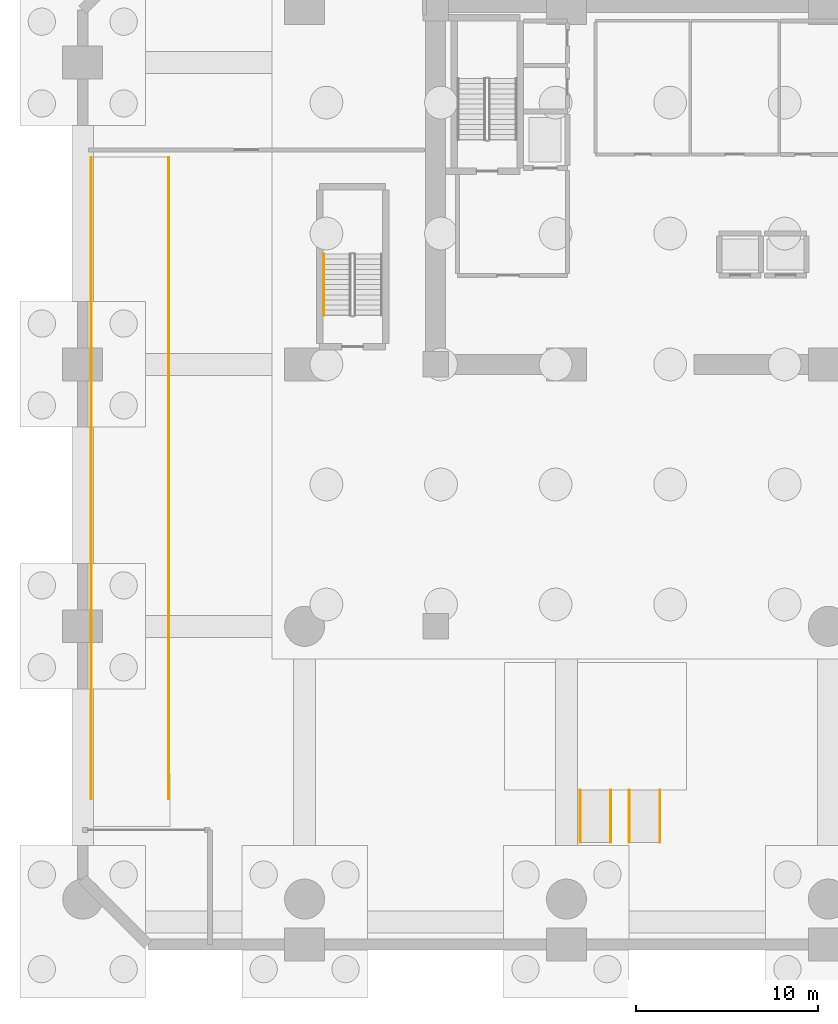
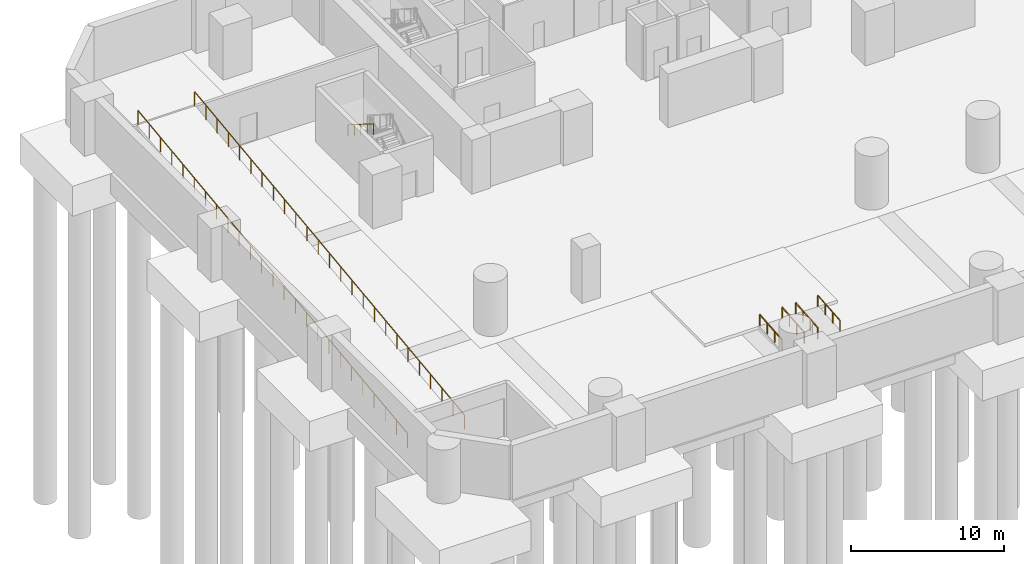
# One storey, part 7 of 10: 7 railings.
"""IFC4 building model written with IfcOpenShell, lengths in metres."""

from ifc_helpers import new_model, si_unit, direction, frame, origin, origin_2d, place, context, subcontext, project, spatial, rectangle, extrude, material, type_object, element, save


model = new_model("IFC4")

# Units and contexts
model_context = context("Model", 3, precision=1e-05, world=origin(), true_north=direction((0.0, 1.0)))
body_context = subcontext(model_context, "Body", "Model", "MODEL_VIEW")
ifc_project = project(units=[si_unit("LENGTHUNIT", "METRE"), si_unit("AREAUNIT", "SQUARE_METRE"), si_unit("VOLUMEUNIT", "CUBIC_METRE"), si_unit("PLANEANGLEUNIT", "RADIAN"), si_unit("MASSUNIT", "GRAM", prefix="KILO")], contexts=[model_context])

# Site, building, storey
site_placement = place(None, origin())
site = spatial("IfcSite", under=ifc_project, at=site_placement, CompositionType="ELEMENT")
building_placement = place(site_placement, origin())
building = spatial("IfcBuilding", under=site, at=building_placement, Name="Kaelvorn Grand Hotel", CompositionType="ELEMENT")
storey_placement = place(building_placement, frame((0.0, 0.0, -9.199951171875)))
storey = spatial("IfcBuildingStorey", under=building, at=storey_placement, Name="B02", CompositionType="ELEMENT", Elevation=-9.199951171875)

# Railings
ifc_material = material(Name="Stainless Steel", Category="steel")
railing_type_1 = type_object("IfcRailingType", Name="RL-HANDRAIL-900", PredefinedType="HANDRAIL", material=ifc_material)
railing_1_placement = place(storey_placement, frame((10.050048828125, 35.469970703125, 2.476806640625)))
element("IfcRailing", 1, at=railing_1_placement, inside=storey, type_object=railing_type_1, Name="B02 ST4 stair handrail 2", PredefinedType="HANDRAIL", context=body_context, shape_type="SweptSolid", body=[
    extrude(rectangle(XDim=0.048095703125, YDim=0.048095703125, at=origin_2d()), frame((0.0, 0.0, 0.8759765625), z_axis=(0.0, -0.845372108799, 0.534177870812), x_axis=(1.0, 0.0, 0.0)), (0.0, 0.0, 1.0), 3.974365234375),
    extrude(rectangle(XDim=0.0419921875, YDim=0.0419921875, at=origin_2d()), origin(), (0.0, 0.0, 1.0), 0.851806640625),
    extrude(rectangle(XDim=0.0419921875, YDim=0.0419921875, at=origin_2d()), frame((0.0, -0.83984375, 0.53076171875)), (0.0, 0.0, 1.0), 0.851806640625),
    extrude(rectangle(XDim=0.0419921875, YDim=0.0419921875, at=origin_2d()), frame((0.0, -1.679931640625, 1.0615234375)), (0.0, 0.0, 1.0), 0.851806640625),
    extrude(rectangle(XDim=0.0419921875, YDim=0.0419921875, at=origin_2d()), frame((0.0, -2.52001953125, 1.59228515625)), (0.0, 0.0, 1.0), 0.851806640625),
    extrude(rectangle(XDim=0.0419921875, YDim=0.0419921875, at=origin_2d()), frame((0.0, -3.35986328125, 2.123046875)), (0.0, 0.0, 1.0), 0.851806640625),
])
for number, where, name in (
    (2, (24.159912109375, 3.114990234375, 0.0), "B02 Accessible Ramp AR2 Handrail 1"),
    (3, (25.840087890625, 3.114990234375, 0.0), "B02 Accessible Ramp AR2 Handrail 2"),
    (4, (26.860107421875, 3.114990234375, 0.0), "B02 Accessible Ramp AR6 Handrail 1"),
    (5, (28.5400390625, 3.114990234375, 0.0), "B02 Accessible Ramp AR6 Handrail 2"),
):
    element("IfcRailing", number, at=place(storey_placement, frame(where)), inside=storey, type_object=railing_type_1, Name=name, PredefinedType="HANDRAIL", context=body_context, shape_type="SweptSolid", body=[
        extrude(rectangle(XDim=0.048095703125, YDim=0.048095703125, at=origin_2d()), frame((0.0, 0.0, 0.8759765625), z_axis=(0.0, 0.996569523047, 0.082759807481), x_axis=(-1.0, 0.0, 0.0)), (0.0, 0.0, 1.0), 2.89990234375),
        extrude(rectangle(XDim=0.0419921875, YDim=0.0419921875, at=origin_2d()), origin(), (0.0, 0.0, 1.0), 0.851806640625),
        extrude(rectangle(XDim=0.0419921875, YDim=0.0419921875, at=origin_2d()), frame((0.0, 0.96337890625, 0.080078125)), (0.0, 0.0, 1.0), 0.851806640625),
        extrude(rectangle(XDim=0.0419921875, YDim=0.0419921875, at=origin_2d()), frame((0.0, 1.926513671875, 0.159912109375)), (0.0, 0.0, 1.0), 0.851806640625),
        extrude(rectangle(XDim=0.0419921875, YDim=0.0419921875, at=origin_2d()), frame((0.0, 2.889892578125, 0.239990234375)), (0.0, 0.0, 1.0), 0.851806640625),
    ])
railing_type_2 = type_object("IfcRailingType", Name="RL-STAIR-GUARD-1150", PredefinedType="BALUSTRADE", material=ifc_material)
railing_2_placement = place(storey_placement, frame((-2.739990234375, 5.5, 0.18798828125)))
element("IfcRailing", 6, at=railing_2_placement, inside=storey, type_object=railing_type_2, Name="Vehicle Ramp VR2 Sloped W Guard Balustrade", PredefinedType="BALUSTRADE", context=body_context, shape_type="SweptSolid", body=[
    extrude(rectangle(XDim=0.048095703125, YDim=0.048095703125, at=origin_2d()), frame((0.0, 0.0, 1.15576171875), z_axis=(0.0, 0.992270268621, 0.124095584167), x_axis=(-1.0, 0.0, 0.0)), (0.0, 0.0, 1.0), 1.4814453125),
    extrude(rectangle(XDim=0.048095703125, YDim=0.048095703125, at=origin_2d()), frame((0.0, 1.469970703125, 1.33984375), z_axis=(0.0, 0.992290548834, 0.123933315516), x_axis=(-1.0, 0.0, 0.0)), (0.0, 0.0, 1.0), 1.4814453125),
    extrude(rectangle(XDim=0.048095703125, YDim=0.048095703125, at=origin_2d()), frame((0.0, 2.93994140625, 1.5234375), z_axis=(0.0, 0.992290548834, 0.123933315516), x_axis=(-1.0, 0.0, 0.0)), (0.0, 0.0, 1.0), 1.4814453125),
    extrude(rectangle(XDim=0.048095703125, YDim=0.048095703125, at=origin_2d()), frame((0.0, 4.409912109375, 1.70703125), z_axis=(0.0, 0.992270268621, 0.124095584167), x_axis=(-1.0, 0.0, 0.0)), (0.0, 0.0, 1.0), 1.4814453125),
    extrude(rectangle(XDim=0.048095703125, YDim=0.048095703125, at=origin_2d()), frame((0.0, 5.8798828125, 1.890625), z_axis=(0.0, 0.992293079529, 0.123913051446), x_axis=(-1.0, 0.0, 0.0)), (0.0, 0.0, 1.0), 1.481689453125),
    extrude(rectangle(XDim=0.048095703125, YDim=0.048095703125, at=origin_2d()), frame((0.0, 7.35009765625, 2.07421875), z_axis=(0.0, 0.992270268621, 0.124095584167), x_axis=(-1.0, 0.0, 0.0)), (0.0, 0.0, 1.0), 1.4814453125),
    extrude(rectangle(XDim=0.048095703125, YDim=0.048095703125, at=origin_2d()), frame((0.0, 8.820068359375, 2.25830078125), z_axis=(0.0, 0.992290548834, 0.123933315516), x_axis=(-1.0, 0.0, 0.0)), (0.0, 0.0, 1.0), 1.4814453125),
    extrude(rectangle(XDim=0.048095703125, YDim=0.048095703125, at=origin_2d()), frame((0.0, 10.2900390625, 2.44189453125), z_axis=(0.0, 0.992270268621, 0.124095584167), x_axis=(-1.0, 0.0, 0.0)), (0.0, 0.0, 1.0), 1.4814453125),
    extrude(rectangle(XDim=0.048095703125, YDim=0.048095703125, at=origin_2d()), frame((0.0, 11.760009765625, 2.62548828125), z_axis=(0.0, 0.992290548834, 0.123933315516), x_axis=(-1.0, 0.0, 0.0)), (0.0, 0.0, 1.0), 1.4814453125),
    extrude(rectangle(XDim=0.048095703125, YDim=0.048095703125, at=origin_2d()), frame((0.0, 13.22998046875, 2.80908203125), z_axis=(0.0, 0.992270268621, 0.124095584167), x_axis=(-1.0, 0.0, 0.0)), (0.0, 0.0, 1.0), 1.4814453125),
    extrude(rectangle(XDim=0.048095703125, YDim=0.048095703125, at=origin_2d()), frame((0.0, 14.699951171875, 2.9931640625), z_axis=(0.0, 0.992290548834, 0.123933315516), x_axis=(-1.0, 0.0, 0.0)), (0.0, 0.0, 1.0), 1.4814453125),
    extrude(rectangle(XDim=0.048095703125, YDim=0.048095703125, at=origin_2d()), frame((0.0, 16.169921875, 3.1767578125), z_axis=(0.0, 0.992290548834, 0.123933315516), x_axis=(-1.0, 0.0, 0.0)), (0.0, 0.0, 1.0), 1.4814453125),
    extrude(rectangle(XDim=0.048095703125, YDim=0.048095703125, at=origin_2d()), frame((0.0, 17.639892578125, 3.3603515625), z_axis=(0.0, 0.992272805896, 0.124075294394), x_axis=(-1.0, 0.0, 0.0)), (0.0, 0.0, 1.0), 1.481689453125),
    extrude(rectangle(XDim=0.048095703125, YDim=0.048095703125, at=origin_2d()), frame((0.0, 19.110107421875, 3.5439453125), z_axis=(0.0, 0.992290548834, 0.123933315516), x_axis=(-1.0, 0.0, 0.0)), (0.0, 0.0, 1.0), 1.4814453125),
    extrude(rectangle(XDim=0.048095703125, YDim=0.048095703125, at=origin_2d()), frame((0.0, 20.580078125, 3.7275390625), z_axis=(0.0, 0.992270268621, 0.124095584167), x_axis=(-1.0, 0.0, 0.0)), (0.0, 0.0, 1.0), 1.4814453125),
    extrude(rectangle(XDim=0.048095703125, YDim=0.048095703125, at=origin_2d()), frame((0.0, 22.050048828125, 3.91162109375), z_axis=(0.0, 0.992290548834, 0.123933315516), x_axis=(-1.0, 0.0, 0.0)), (0.0, 0.0, 1.0), 1.4814453125),
    extrude(rectangle(XDim=0.048095703125, YDim=0.048095703125, at=origin_2d()), frame((0.0, 23.52001953125, 4.09521484375), z_axis=(0.0, 0.992270268621, 0.124095584167), x_axis=(-1.0, 0.0, 0.0)), (0.0, 0.0, 1.0), 1.4814453125),
    extrude(rectangle(XDim=0.048095703125, YDim=0.048095703125, at=origin_2d()), frame((0.0, 24.989990234375, 4.27880859375), z_axis=(0.0, 0.992290548834, 0.123933315516), x_axis=(-1.0, 0.0, 0.0)), (0.0, 0.0, 1.0), 1.4814453125),
    extrude(rectangle(XDim=0.048095703125, YDim=0.048095703125, at=origin_2d()), frame((0.0, 26.4599609375, 4.46240234375), z_axis=(0.0, 0.992290548834, 0.123933315516), x_axis=(-1.0, 0.0, 0.0)), (0.0, 0.0, 1.0), 1.4814453125),
    extrude(rectangle(XDim=0.048095703125, YDim=0.048095703125, at=origin_2d()), frame((0.0, 27.929931640625, 4.64599609375), z_axis=(0.0, 0.992270268621, 0.124095584167), x_axis=(-1.0, 0.0, 0.0)), (0.0, 0.0, 1.0), 1.4814453125),
    extrude(rectangle(XDim=0.048095703125, YDim=0.048095703125, at=origin_2d()), frame((0.0, 29.39990234375, 4.830078125), z_axis=(0.0, 0.992293079529, 0.123913051446), x_axis=(-1.0, 0.0, 0.0)), (0.0, 0.0, 1.0), 1.481689453125),
    extrude(rectangle(XDim=0.048095703125, YDim=0.048095703125, at=origin_2d()), frame((0.0, 30.8701171875, 5.013671875), z_axis=(0.0, 0.992270268621, 0.124095584167), x_axis=(-1.0, 0.0, 0.0)), (0.0, 0.0, 1.0), 1.4814453125),
    extrude(rectangle(XDim=0.048095703125, YDim=0.048095703125, at=origin_2d()), frame((0.0, 32.340087890625, 5.197265625), z_axis=(0.0, 0.992290548834, 0.123933315516), x_axis=(-1.0, 0.0, 0.0)), (0.0, 0.0, 1.0), 1.4814453125),
    extrude(rectangle(XDim=0.048095703125, YDim=0.048095703125, at=origin_2d()), frame((0.0, 33.81005859375, 5.380859375), z_axis=(0.0, 0.992270268621, 0.124095584167), x_axis=(-1.0, 0.0, 0.0)), (0.0, 0.0, 1.0), 1.4814453125),
    extrude(rectangle(XDim=0.0419921875, YDim=0.0419921875, at=origin_2d()), origin(), (0.0, 0.0, 1.0), 1.1318359375),
    extrude(rectangle(XDim=0.0419921875, YDim=0.0419921875, at=origin_2d()), frame((0.0, 1.469970703125, 0.183837890625)), (0.0, 0.0, 1.0), 1.1318359375),
    extrude(rectangle(XDim=0.0419921875, YDim=0.0419921875, at=origin_2d()), frame((0.0, 2.93994140625, 0.367431640625)), (0.0, 0.0, 1.0), 1.1318359375),
    extrude(rectangle(XDim=0.0419921875, YDim=0.0419921875, at=origin_2d()), frame((0.0, 4.409912109375, 0.551025390625)), (0.0, 0.0, 1.0), 1.1318359375),
    extrude(rectangle(XDim=0.0419921875, YDim=0.0419921875, at=origin_2d()), frame((0.0, 5.8798828125, 0.73486328125)), (0.0, 0.0, 1.0), 1.1318359375),
    extrude(rectangle(XDim=0.0419921875, YDim=0.0419921875, at=origin_2d()), frame((0.0, 7.35009765625, 0.91845703125)), (0.0, 0.0, 1.0), 1.1318359375),
    extrude(rectangle(XDim=0.0419921875, YDim=0.0419921875, at=origin_2d()), frame((0.0, 8.820068359375, 1.102294921875)), (0.0, 0.0, 1.0), 1.1318359375),
    extrude(rectangle(XDim=0.0419921875, YDim=0.0419921875, at=origin_2d()), frame((0.0, 10.2900390625, 1.285888671875)), (0.0, 0.0, 1.0), 1.1318359375),
    extrude(rectangle(XDim=0.0419921875, YDim=0.0419921875, at=origin_2d()), frame((0.0, 11.760009765625, 1.4697265625)), (0.0, 0.0, 1.0), 1.1318359375),
    extrude(rectangle(XDim=0.0419921875, YDim=0.0419921875, at=origin_2d()), frame((0.0, 13.22998046875, 1.6533203125)), (0.0, 0.0, 1.0), 1.1318359375),
    extrude(rectangle(XDim=0.0419921875, YDim=0.0419921875, at=origin_2d()), frame((0.0, 14.699951171875, 1.837158203125)), (0.0, 0.0, 1.0), 1.1318359375),
    extrude(rectangle(XDim=0.0419921875, YDim=0.0419921875, at=origin_2d()), frame((0.0, 16.169921875, 2.020751953125)), (0.0, 0.0, 1.0), 1.1318359375),
    extrude(rectangle(XDim=0.0419921875, YDim=0.0419921875, at=origin_2d()), frame((0.0, 17.639892578125, 2.204345703125)), (0.0, 0.0, 1.0), 1.1318359375),
    extrude(rectangle(XDim=0.0419921875, YDim=0.0419921875, at=origin_2d()), frame((0.0, 19.110107421875, 2.38818359375)), (0.0, 0.0, 1.0), 1.1318359375),
    extrude(rectangle(XDim=0.0419921875, YDim=0.0419921875, at=origin_2d()), frame((0.0, 20.580078125, 2.57177734375)), (0.0, 0.0, 1.0), 1.1318359375),
    extrude(rectangle(XDim=0.0419921875, YDim=0.0419921875, at=origin_2d()), frame((0.0, 22.050048828125, 2.755615234375)), (0.0, 0.0, 1.0), 1.1318359375),
    extrude(rectangle(XDim=0.0419921875, YDim=0.0419921875, at=origin_2d()), frame((0.0, 23.52001953125, 2.939208984375)), (0.0, 0.0, 1.0), 1.1318359375),
    extrude(rectangle(XDim=0.0419921875, YDim=0.0419921875, at=origin_2d()), frame((0.0, 24.989990234375, 3.123046875)), (0.0, 0.0, 1.0), 1.1318359375),
    extrude(rectangle(XDim=0.0419921875, YDim=0.0419921875, at=origin_2d()), frame((0.0, 26.4599609375, 3.306640625)), (0.0, 0.0, 1.0), 1.1318359375),
    extrude(rectangle(XDim=0.0419921875, YDim=0.0419921875, at=origin_2d()), frame((0.0, 27.929931640625, 3.490234375)), (0.0, 0.0, 1.0), 1.1318359375),
    extrude(rectangle(XDim=0.0419921875, YDim=0.0419921875, at=origin_2d()), frame((0.0, 29.39990234375, 3.674072265625)), (0.0, 0.0, 1.0), 1.1318359375),
    extrude(rectangle(XDim=0.0419921875, YDim=0.0419921875, at=origin_2d()), frame((0.0, 30.8701171875, 3.857666015625)), (0.0, 0.0, 1.0), 1.1318359375),
    extrude(rectangle(XDim=0.0419921875, YDim=0.0419921875, at=origin_2d()), frame((0.0, 32.340087890625, 4.04150390625)), (0.0, 0.0, 1.0), 1.1318359375),
    extrude(rectangle(XDim=0.0419921875, YDim=0.0419921875, at=origin_2d()), frame((0.0, 33.81005859375, 4.22509765625)), (0.0, 0.0, 1.0), 1.1318359375),
    extrude(rectangle(XDim=0.0419921875, YDim=0.0419921875, at=origin_2d()), frame((0.0, 35.280029296875, 4.408935546875)), (0.0, 0.0, 1.0), 1.1318359375),
])
railing_3_placement = place(storey_placement, frame((1.5400390625, 5.5, 0.18798828125)))
element("IfcRailing", 7, at=railing_3_placement, inside=storey, type_object=railing_type_2, Name="Vehicle Ramp VR2 Sloped E Guard Balustrade", PredefinedType="BALUSTRADE", context=body_context, shape_type="SweptSolid", body=[
    extrude(rectangle(XDim=0.048095703125, YDim=0.048095703125, at=origin_2d()), frame((0.0, 0.0, 1.15576171875), z_axis=(0.0, 0.992270268621, 0.124095584167), x_axis=(-1.0, 0.0, 0.0)), (0.0, 0.0, 1.0), 1.4814453125),
    extrude(rectangle(XDim=0.048095703125, YDim=0.048095703125, at=origin_2d()), frame((0.0, 1.469970703125, 1.33984375), z_axis=(0.0, 0.992290548834, 0.123933315516), x_axis=(-1.0, 0.0, 0.0)), (0.0, 0.0, 1.0), 1.4814453125),
    extrude(rectangle(XDim=0.048095703125, YDim=0.048095703125, at=origin_2d()), frame((0.0, 2.93994140625, 1.5234375), z_axis=(0.0, 0.992290548834, 0.123933315516), x_axis=(-1.0, 0.0, 0.0)), (0.0, 0.0, 1.0), 1.4814453125),
    extrude(rectangle(XDim=0.048095703125, YDim=0.048095703125, at=origin_2d()), frame((0.0, 4.409912109375, 1.70703125), z_axis=(0.0, 0.992270268621, 0.124095584167), x_axis=(-1.0, 0.0, 0.0)), (0.0, 0.0, 1.0), 1.4814453125),
    extrude(rectangle(XDim=0.048095703125, YDim=0.048095703125, at=origin_2d()), frame((0.0, 5.8798828125, 1.890625), z_axis=(0.0, 0.992293079529, 0.123913051446), x_axis=(-1.0, 0.0, 0.0)), (0.0, 0.0, 1.0), 1.481689453125),
    extrude(rectangle(XDim=0.048095703125, YDim=0.048095703125, at=origin_2d()), frame((0.0, 7.35009765625, 2.07421875), z_axis=(0.0, 0.992270268621, 0.124095584167), x_axis=(-1.0, 0.0, 0.0)), (0.0, 0.0, 1.0), 1.4814453125),
    extrude(rectangle(XDim=0.048095703125, YDim=0.048095703125, at=origin_2d()), frame((0.0, 8.820068359375, 2.25830078125), z_axis=(0.0, 0.992290548834, 0.123933315516), x_axis=(-1.0, 0.0, 0.0)), (0.0, 0.0, 1.0), 1.4814453125),
    extrude(rectangle(XDim=0.048095703125, YDim=0.048095703125, at=origin_2d()), frame((0.0, 10.2900390625, 2.44189453125), z_axis=(0.0, 0.992270268621, 0.124095584167), x_axis=(-1.0, 0.0, 0.0)), (0.0, 0.0, 1.0), 1.4814453125),
    extrude(rectangle(XDim=0.048095703125, YDim=0.048095703125, at=origin_2d()), frame((0.0, 11.760009765625, 2.62548828125), z_axis=(0.0, 0.992290548834, 0.123933315516), x_axis=(-1.0, 0.0, 0.0)), (0.0, 0.0, 1.0), 1.4814453125),
    extrude(rectangle(XDim=0.048095703125, YDim=0.048095703125, at=origin_2d()), frame((0.0, 13.22998046875, 2.80908203125), z_axis=(0.0, 0.992270268621, 0.124095584167), x_axis=(-1.0, 0.0, 0.0)), (0.0, 0.0, 1.0), 1.4814453125),
    extrude(rectangle(XDim=0.048095703125, YDim=0.048095703125, at=origin_2d()), frame((0.0, 14.699951171875, 2.9931640625), z_axis=(0.0, 0.992290548834, 0.123933315516), x_axis=(-1.0, 0.0, 0.0)), (0.0, 0.0, 1.0), 1.4814453125),
    extrude(rectangle(XDim=0.048095703125, YDim=0.048095703125, at=origin_2d()), frame((0.0, 16.169921875, 3.1767578125), z_axis=(0.0, 0.992290548834, 0.123933315516), x_axis=(-1.0, 0.0, 0.0)), (0.0, 0.0, 1.0), 1.4814453125),
    extrude(rectangle(XDim=0.048095703125, YDim=0.048095703125, at=origin_2d()), frame((0.0, 17.639892578125, 3.3603515625), z_axis=(0.0, 0.992272805896, 0.124075294394), x_axis=(-1.0, 0.0, 0.0)), (0.0, 0.0, 1.0), 1.481689453125),
    extrude(rectangle(XDim=0.048095703125, YDim=0.048095703125, at=origin_2d()), frame((0.0, 19.110107421875, 3.5439453125), z_axis=(0.0, 0.992290548834, 0.123933315516), x_axis=(-1.0, 0.0, 0.0)), (0.0, 0.0, 1.0), 1.4814453125),
    extrude(rectangle(XDim=0.048095703125, YDim=0.048095703125, at=origin_2d()), frame((0.0, 20.580078125, 3.7275390625), z_axis=(0.0, 0.992270268621, 0.124095584167), x_axis=(-1.0, 0.0, 0.0)), (0.0, 0.0, 1.0), 1.4814453125),
    extrude(rectangle(XDim=0.048095703125, YDim=0.048095703125, at=origin_2d()), frame((0.0, 22.050048828125, 3.91162109375), z_axis=(0.0, 0.992290548834, 0.123933315516), x_axis=(-1.0, 0.0, 0.0)), (0.0, 0.0, 1.0), 1.4814453125),
    extrude(rectangle(XDim=0.048095703125, YDim=0.048095703125, at=origin_2d()), frame((0.0, 23.52001953125, 4.09521484375), z_axis=(0.0, 0.992270268621, 0.124095584167), x_axis=(-1.0, 0.0, 0.0)), (0.0, 0.0, 1.0), 1.4814453125),
    extrude(rectangle(XDim=0.048095703125, YDim=0.048095703125, at=origin_2d()), frame((0.0, 24.989990234375, 4.27880859375), z_axis=(0.0, 0.992290548834, 0.123933315516), x_axis=(-1.0, 0.0, 0.0)), (0.0, 0.0, 1.0), 1.4814453125),
    extrude(rectangle(XDim=0.048095703125, YDim=0.048095703125, at=origin_2d()), frame((0.0, 26.4599609375, 4.46240234375), z_axis=(0.0, 0.992290548834, 0.123933315516), x_axis=(-1.0, 0.0, 0.0)), (0.0, 0.0, 1.0), 1.4814453125),
    extrude(rectangle(XDim=0.048095703125, YDim=0.048095703125, at=origin_2d()), frame((0.0, 27.929931640625, 4.64599609375), z_axis=(0.0, 0.992270268621, 0.124095584167), x_axis=(-1.0, 0.0, 0.0)), (0.0, 0.0, 1.0), 1.4814453125),
    extrude(rectangle(XDim=0.048095703125, YDim=0.048095703125, at=origin_2d()), frame((0.0, 29.39990234375, 4.830078125), z_axis=(0.0, 0.992293079529, 0.123913051446), x_axis=(-1.0, 0.0, 0.0)), (0.0, 0.0, 1.0), 1.481689453125),
    extrude(rectangle(XDim=0.048095703125, YDim=0.048095703125, at=origin_2d()), frame((0.0, 30.8701171875, 5.013671875), z_axis=(0.0, 0.992270268621, 0.124095584167), x_axis=(-1.0, 0.0, 0.0)), (0.0, 0.0, 1.0), 1.4814453125),
    extrude(rectangle(XDim=0.048095703125, YDim=0.048095703125, at=origin_2d()), frame((0.0, 32.340087890625, 5.197265625), z_axis=(0.0, 0.992290548834, 0.123933315516), x_axis=(-1.0, 0.0, 0.0)), (0.0, 0.0, 1.0), 1.4814453125),
    extrude(rectangle(XDim=0.048095703125, YDim=0.048095703125, at=origin_2d()), frame((0.0, 33.81005859375, 5.380859375), z_axis=(0.0, 0.992270268621, 0.124095584167), x_axis=(-1.0, 0.0, 0.0)), (0.0, 0.0, 1.0), 1.4814453125),
    extrude(rectangle(XDim=0.0419921875, YDim=0.0419921875, at=origin_2d()), origin(), (0.0, 0.0, 1.0), 1.1318359375),
    extrude(rectangle(XDim=0.0419921875, YDim=0.0419921875, at=origin_2d()), frame((0.0, 1.469970703125, 0.183837890625)), (0.0, 0.0, 1.0), 1.1318359375),
    extrude(rectangle(XDim=0.0419921875, YDim=0.0419921875, at=origin_2d()), frame((0.0, 2.93994140625, 0.367431640625)), (0.0, 0.0, 1.0), 1.1318359375),
    extrude(rectangle(XDim=0.0419921875, YDim=0.0419921875, at=origin_2d()), frame((0.0, 4.409912109375, 0.551025390625)), (0.0, 0.0, 1.0), 1.1318359375),
    extrude(rectangle(XDim=0.0419921875, YDim=0.0419921875, at=origin_2d()), frame((0.0, 5.8798828125, 0.73486328125)), (0.0, 0.0, 1.0), 1.1318359375),
    extrude(rectangle(XDim=0.0419921875, YDim=0.0419921875, at=origin_2d()), frame((0.0, 7.35009765625, 0.91845703125)), (0.0, 0.0, 1.0), 1.1318359375),
    extrude(rectangle(XDim=0.0419921875, YDim=0.0419921875, at=origin_2d()), frame((0.0, 8.820068359375, 1.102294921875)), (0.0, 0.0, 1.0), 1.1318359375),
    extrude(rectangle(XDim=0.0419921875, YDim=0.0419921875, at=origin_2d()), frame((0.0, 10.2900390625, 1.285888671875)), (0.0, 0.0, 1.0), 1.1318359375),
    extrude(rectangle(XDim=0.0419921875, YDim=0.0419921875, at=origin_2d()), frame((0.0, 11.760009765625, 1.4697265625)), (0.0, 0.0, 1.0), 1.1318359375),
    extrude(rectangle(XDim=0.0419921875, YDim=0.0419921875, at=origin_2d()), frame((0.0, 13.22998046875, 1.6533203125)), (0.0, 0.0, 1.0), 1.1318359375),
    extrude(rectangle(XDim=0.0419921875, YDim=0.0419921875, at=origin_2d()), frame((0.0, 14.699951171875, 1.837158203125)), (0.0, 0.0, 1.0), 1.1318359375),
    extrude(rectangle(XDim=0.0419921875, YDim=0.0419921875, at=origin_2d()), frame((0.0, 16.169921875, 2.020751953125)), (0.0, 0.0, 1.0), 1.1318359375),
    extrude(rectangle(XDim=0.0419921875, YDim=0.0419921875, at=origin_2d()), frame((0.0, 17.639892578125, 2.204345703125)), (0.0, 0.0, 1.0), 1.1318359375),
    extrude(rectangle(XDim=0.0419921875, YDim=0.0419921875, at=origin_2d()), frame((0.0, 19.110107421875, 2.38818359375)), (0.0, 0.0, 1.0), 1.1318359375),
    extrude(rectangle(XDim=0.0419921875, YDim=0.0419921875, at=origin_2d()), frame((0.0, 20.580078125, 2.57177734375)), (0.0, 0.0, 1.0), 1.1318359375),
    extrude(rectangle(XDim=0.0419921875, YDim=0.0419921875, at=origin_2d()), frame((0.0, 22.050048828125, 2.755615234375)), (0.0, 0.0, 1.0), 1.1318359375),
    extrude(rectangle(XDim=0.0419921875, YDim=0.0419921875, at=origin_2d()), frame((0.0, 23.52001953125, 2.939208984375)), (0.0, 0.0, 1.0), 1.1318359375),
    extrude(rectangle(XDim=0.0419921875, YDim=0.0419921875, at=origin_2d()), frame((0.0, 24.989990234375, 3.123046875)), (0.0, 0.0, 1.0), 1.1318359375),
    extrude(rectangle(XDim=0.0419921875, YDim=0.0419921875, at=origin_2d()), frame((0.0, 26.4599609375, 3.306640625)), (0.0, 0.0, 1.0), 1.1318359375),
    extrude(rectangle(XDim=0.0419921875, YDim=0.0419921875, at=origin_2d()), frame((0.0, 27.929931640625, 3.490234375)), (0.0, 0.0, 1.0), 1.1318359375),
    extrude(rectangle(XDim=0.0419921875, YDim=0.0419921875, at=origin_2d()), frame((0.0, 29.39990234375, 3.674072265625)), (0.0, 0.0, 1.0), 1.1318359375),
    extrude(rectangle(XDim=0.0419921875, YDim=0.0419921875, at=origin_2d()), frame((0.0, 30.8701171875, 3.857666015625)), (0.0, 0.0, 1.0), 1.1318359375),
    extrude(rectangle(XDim=0.0419921875, YDim=0.0419921875, at=origin_2d()), frame((0.0, 32.340087890625, 4.04150390625)), (0.0, 0.0, 1.0), 1.1318359375),
    extrude(rectangle(XDim=0.0419921875, YDim=0.0419921875, at=origin_2d()), frame((0.0, 33.81005859375, 4.22509765625)), (0.0, 0.0, 1.0), 1.1318359375),
    extrude(rectangle(XDim=0.0419921875, YDim=0.0419921875, at=origin_2d()), frame((0.0, 35.280029296875, 4.408935546875)), (0.0, 0.0, 1.0), 1.1318359375),
])

save(model, "model.ifc")
